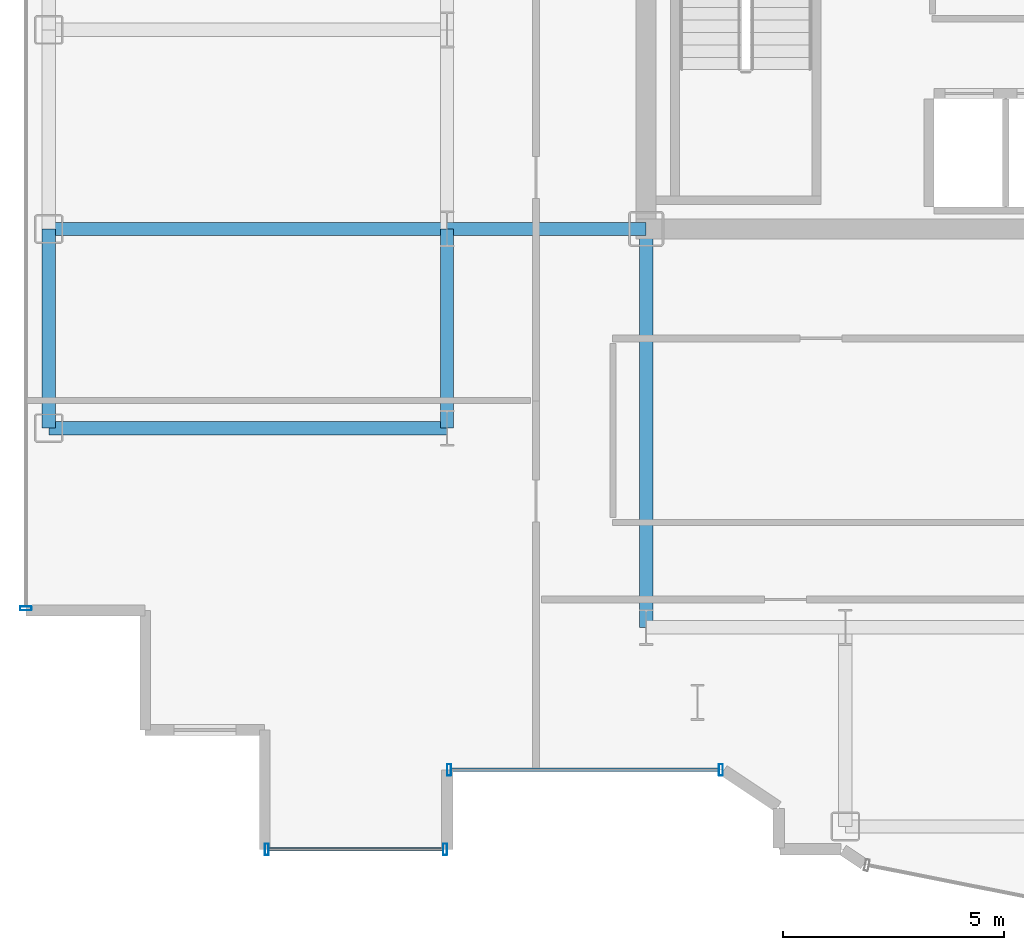
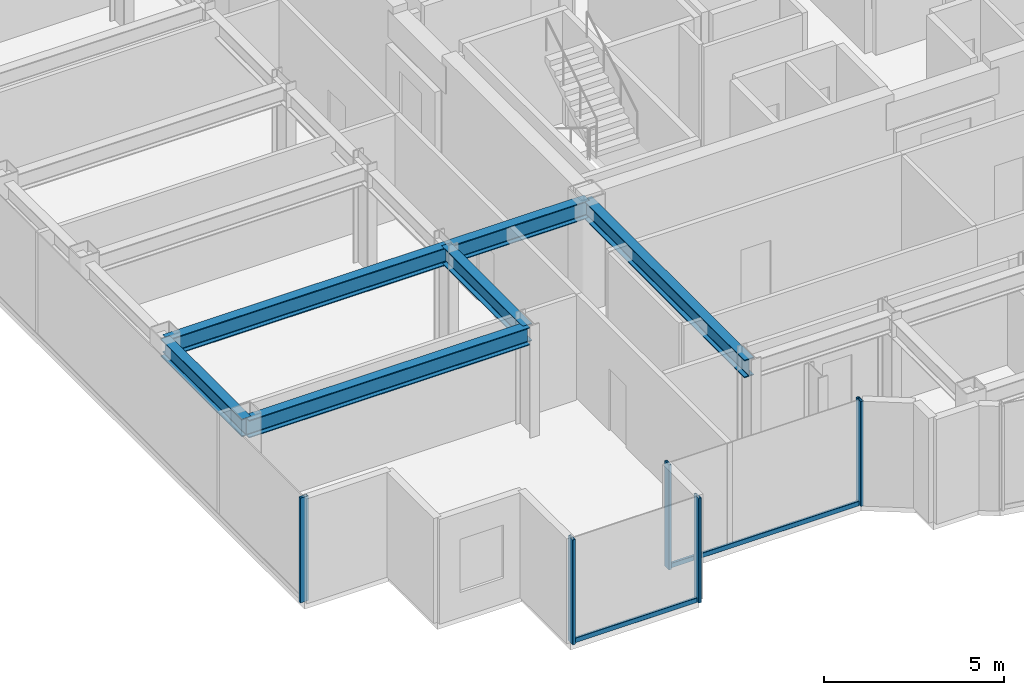
# One storey, part 2 of 20: 7 members, 6 beams, 3 elements without a shape of their own.
"""IFC4 building model written with IfcOpenShell, lengths in metres."""

import ifcopenshell
import ifcopenshell.guid

model = None  # the IFC model being written
_history = None  # IfcOwnerHistory: only IFC2X3 demands one
_inside = {}  # id of a spatial element -> (the spatial element, [elements in it])
_under = {}  # id of a project, library or spatial element -> (it, [spatial elements below it])
_declared = {}  # id of a project -> (the project, [libraries it declares])
_typed = {}  # id of a type object -> (the type object, [elements of that type])
_made_of = {}  # id of a material, layer set ... -> (it, [elements and type objects made of it])


def new_model(schema):
    """Start an empty IFC model of exactly this schema.

    Asked for "IFC4X3", IfcOpenShell would pick the latest addendum, in which some entities
    have other attributes; the version numbers below select the first issue.
    IFC2X3 requires an IfcOwnerHistory on every rooted entity: one is made here for all.
    """
    global model, _history
    if schema == "IFC4X3":
        model = ifcopenshell.file(schema_version=(4, 3, 0, 0))
    else:
        model = ifcopenshell.file(schema=schema)
    _inside.clear()
    _under.clear()
    _declared.clear()
    _typed.clear()
    _made_of.clear()
    _history = None
    if model.schema == "IFC2X3":
        org = make("IfcOrganization", Name="unknown")
        user = make(
            "IfcPersonAndOrganization",
            ThePerson=make("IfcPerson", FamilyName="unknown"),
            TheOrganization=org,
        )
        app = make(
            "IfcApplication",
            ApplicationDeveloper=org,
            Version="unknown",
            ApplicationFullName="unknown",
            ApplicationIdentifier="unknown",
        )
        _history = make(
            "IfcOwnerHistory",
            OwningUser=user,
            OwningApplication=app,
            ChangeAction="ADDED",
            CreationDate=0,
        )
    return model


def make(cls, **values):
    """One entity of the class cls with the attributes given. An attribute that is None is left unset."""
    return model.create_entity(
        cls, **{name: value for name, value in values.items() if value is not None}
    )


def rooted(cls, **values):
    """An entity with a GlobalId (a new one), such as an element, a storey or a relation."""
    return make(cls, GlobalId=ifcopenshell.guid.new(), OwnerHistory=_history, **values)


def si_unit(unit_type, name, prefix=None):
    """IfcSIUnit, for example si_unit("LENGTHUNIT", "METRE", prefix="MILLI")."""
    return make("IfcSIUnit", UnitType=unit_type, Prefix=prefix, Name=name)


def assignment(units):
    """IfcUnitAssignment: the units of a project."""
    return None if units is None else make("IfcUnitAssignment", Units=units)


def point(xyz):
    """IfcCartesianPoint."""
    return None if xyz is None else make("IfcCartesianPoint", Coordinates=xyz)


def direction(xyz):
    """IfcDirection."""
    return None if xyz is None else make("IfcDirection", DirectionRatios=xyz)


def frame(location, z_axis=None, x_axis=None):
    """IfcAxis2Placement3D, a coordinate frame: its origin and axes. An axis left out is left unset."""
    return make(
        "IfcAxis2Placement3D",
        Location=point(location),
        Axis=direction(z_axis),
        RefDirection=direction(x_axis),
    )


def frame_2d(location, x_axis=None):
    """IfcAxis2Placement2D, a coordinate frame in the plane: its origin and x axis."""
    return make(
        "IfcAxis2Placement2D", Location=point(location), RefDirection=direction(x_axis)
    )


def origin():
    """The frame at (0, 0, 0) with its axes left unset."""
    return frame((0.0, 0.0, 0.0))


def origin_2d():
    """The frame at (0, 0) in the plane with its x axis left unset."""
    return frame_2d((0.0, 0.0))


def place(relative_to, where):
    """IfcLocalPlacement: puts the frame where relative to a parent placement (None: the world)."""
    return make(
        "IfcLocalPlacement", PlacementRelTo=relative_to, RelativePlacement=where
    )


def context(
    kind, dimensions, precision=None, world=None, true_north=None, identifier=None
):
    """IfcGeometricRepresentationContext, for example the 3D "Model" context."""
    return make(
        "IfcGeometricRepresentationContext",
        ContextIdentifier=identifier,
        ContextType=kind,
        CoordinateSpaceDimension=dimensions,
        Precision=precision,
        WorldCoordinateSystem=world,
        TrueNorth=true_north,
    )


def subcontext(parent, identifier, kind, view, scale=None):
    """IfcGeometricRepresentationSubContext, for example "Body" below "Model"."""
    return make(
        "IfcGeometricRepresentationSubContext",
        ContextIdentifier=identifier,
        ContextType=kind,
        ParentContext=parent,
        TargetScale=scale,
        TargetView=view,
    )


def project(units=None, contexts=None):
    """IfcProject with its units and contexts."""
    return rooted(
        "IfcProject",
        Name="project",
        RepresentationContexts=contexts,
        UnitsInContext=assignment(units),
    )


def spatial(cls, under=None, at=None, **own):
    """A site, building, storey or space (cls), placed at a placement, below another one or the project."""
    s = rooted(cls, ObjectPlacement=at, **own)
    if under is not None:
        _under.setdefault(under.id(), (under, []))[1].append(s)
    return s


def profile(cls, at=None, kind="AREA", **sizes):
    """A parametric profile (cls). Its sizes go by their IFC names, for example OverallWidth=200.0."""
    return make(cls, ProfileType=kind, Position=at, **sizes)


def hollow_rectangle(**sizes):
    """IfcRectangleHollowProfileDef."""
    return profile("IfcRectangleHollowProfileDef", **sizes)


def i_section(**sizes):
    """IfcIShapeProfileDef."""
    return profile("IfcIShapeProfileDef", **sizes)


def extrude(swept, where, along, depth):
    """IfcExtrudedAreaSolid: the profile swept, set in the frame where, extruded along a direction by depth."""
    return make(
        "IfcExtrudedAreaSolid",
        SweptArea=swept,
        Position=where,
        ExtrudedDirection=direction(along),
        Depth=depth,
    )


def shape(context_of_items, identifier, shape_type, items):
    """IfcShapeRepresentation: the items that make up one representation, for example the "Body"."""
    return make(
        "IfcShapeRepresentation",
        ContextOfItems=context_of_items,
        RepresentationIdentifier=identifier,
        RepresentationType=shape_type,
        Items=items,
    )


def source(mapping_origin, context_of_items, identifier, shape_type, items):
    """IfcRepresentationMap: a shape defined once, which mapped items show again and again."""
    return make(
        "IfcRepresentationMap",
        MappingOrigin=mapping_origin,
        MappedRepresentation=shape(context_of_items, identifier, shape_type, items),
    )


def transform(
    local_origin,
    x_axis=None,
    y_axis=None,
    z_axis=None,
    scale=None,
    scale2=None,
    scale3=None,
    uniform=True,
):
    """IfcCartesianTransformationOperator3D, or its non-uniform kind. x_axis, y_axis, z_axis: its Axis1, 2, 3."""
    if uniform:
        return make(
            "IfcCartesianTransformationOperator3D",
            Axis1=direction(x_axis),
            Axis2=direction(y_axis),
            LocalOrigin=point(local_origin),
            Scale=scale,
            Axis3=direction(z_axis),
        )
    return make(
        "IfcCartesianTransformationOperator3DnonUniform",
        Axis1=direction(x_axis),
        Axis2=direction(y_axis),
        LocalOrigin=point(local_origin),
        Scale=scale,
        Axis3=direction(z_axis),
        Scale2=scale2,
        Scale3=scale3,
    )


def mapped(mapping_source, mapping_target):
    """IfcMappedItem: shows the shape of a source again, moved by a transform."""
    return make(
        "IfcMappedItem", MappingSource=mapping_source, MappingTarget=mapping_target
    )


def material(Name=None, Category=None):
    """IfcMaterial."""
    return make("IfcMaterial", Name=Name, Category=Category)


def layer(
    of_material, thickness, ventilated=None, Name=None, Category=None, Priority=None
):
    """IfcMaterialLayer: one layer of a wall or slab, of a material (None: an air gap)."""
    return make(
        "IfcMaterialLayer",
        Material=of_material,
        LayerThickness=thickness,
        IsVentilated=ventilated,
        Name=Name,
        Category=Category,
        Priority=Priority,
    )


def layer_set(layers, Name=None):
    """IfcMaterialLayerSet."""
    return make("IfcMaterialLayerSet", MaterialLayers=layers, LayerSetName=Name)


def material_profile(
    of_material, cross_section, Name=None, Category=None, Priority=None
):
    """IfcMaterialProfile: a cross section and its material."""
    return make(
        "IfcMaterialProfile",
        Name=Name,
        Material=of_material,
        Profile=cross_section,
        Priority=Priority,
        Category=Category,
    )


def profile_set(profiles, Name=None, composite=None):
    """IfcMaterialProfileSet."""
    return make(
        "IfcMaterialProfileSet",
        Name=Name,
        MaterialProfiles=profiles,
        CompositeProfile=composite,
    )


def made_of(thing, what):
    """Note that an element or type object is made of a material, layer set ...; save() writes the relation."""
    if what is not None:
        _made_of.setdefault(what.id(), (what, []))[1].append(thing)
    return thing


def type_object(cls, material=None, **own):
    """A type object (cls), such as IfcWallType, which elements share."""
    return made_of(rooted(cls, **own), material)


def element(
    cls,
    number,
    at=None,
    inside=None,
    cuts=None,
    type_object=None,
    material=None,
    context=None,
    identifier="Body",
    shape_type=None,
    held_by="IfcProductDefinitionShape",
    body=None,
    shapes=None,
    **own,
):
    """One element of the class cls, such as IfcWall. Its Tag is "e" and its number.

    at: its placement. inside: the storey or other place that contains it. cuts: it is an
    opening in that element (IfcRelVoidsElement). A single representation is given by context,
    identifier, shape_type and body (its items); several are given by shapes. held_by: the class
    of the entity that holds the representations. save() writes the other relations.
    """
    e = rooted(cls, Tag="e%d" % number, ObjectPlacement=at, **own)
    if body is not None:
        shapes = [shape(context, identifier, shape_type, body)]
    if shapes is not None:
        e.Representation = make(held_by, Representations=shapes)
    if inside is not None:
        _inside.setdefault(inside.id(), (inside, []))[1].append(e)
    if cuts is not None:
        rooted(
            "IfcRelVoidsElement", RelatingBuildingElement=cuts, RelatedOpeningElement=e
        )
    if type_object is not None:
        _typed.setdefault(type_object.id(), (type_object, []))[1].append(e)
    return made_of(e, material)


def aggregate(whole, parts):
    """IfcRelAggregates: a whole, such as a stair, and the parts it consists of."""
    return rooted("IfcRelAggregates", RelatingObject=whole, RelatedObjects=parts)


def save(model, path):
    """Write the relations noted so far, then the file.

    IfcRelAggregates (storeys below a building ...), IfcRelContainedInSpatialStructure (elements
    in a storey), IfcRelDefinesByType, IfcRelAssociatesMaterial and IfcRelDeclares: one each for
    every whole, place, type object, material and project.
    """
    for whole, parts in _under.values():
        aggregate(whole, parts)
    for where, things in _inside.values():
        rooted(
            "IfcRelContainedInSpatialStructure",
            RelatedElements=things,
            RelatingStructure=where,
        )
    for kind, things in _typed.values():
        rooted("IfcRelDefinesByType", RelatedObjects=things, RelatingType=kind)
    for what, things in _made_of.values():
        rooted("IfcRelAssociatesMaterial", RelatedObjects=things, RelatingMaterial=what)
    for by, libraries in _declared.values():
        rooted("IfcRelDeclares", RelatingContext=by, RelatedDefinitions=libraries)
    model.write(path)


model = new_model("IFC4")

# Units and contexts
model_context = context("Model", 3, precision=1e-05, world=origin(), true_north=direction((0.0, 1.0)))
body_context = subcontext(model_context, "Body", "Model", "MODEL_VIEW")
ifc_project = project(units=[si_unit("LENGTHUNIT", "METRE"), si_unit("AREAUNIT", "SQUARE_METRE"), si_unit("VOLUMEUNIT", "CUBIC_METRE"), si_unit("PLANEANGLEUNIT", "RADIAN"), si_unit("MASSUNIT", "GRAM", prefix="KILO")], contexts=[model_context])

# Site, building, storey
site_placement = place(None, origin())
site = spatial("IfcSite", under=ifc_project, at=site_placement, CompositionType="ELEMENT")
building_placement = place(site_placement, origin())
building = spatial("IfcBuilding", under=site, at=building_placement, Name="Nefas-Gora Pilgrimage Tower", CompositionType="ELEMENT")
storey_placement = place(building_placement, frame((0.0, 0.0, 221.800048828125)))
storey = spatial("IfcBuildingStorey", under=building, at=storey_placement, Name="L55", CompositionType="ELEMENT", Elevation=221.800048828125)

# Beams
ifc_material_1 = material(Name="Steel S355", Category="steel")
ifc_material_profile_1 = material_profile(ifc_material_1, i_section(OverallWidth=0.300048828125, OverallDepth=0.60009765625, WebThickness=0.015380859375, FlangeThickness=0.030029296875, FilletRadius=0.027099609375, at=origin_2d()), Name="HEB 600")
ifc_profile_set_1 = profile_set([ifc_material_profile_1], Name="Steel S355")
beam_type_1 = type_object("IfcBeamType", Name="BM-SPN-HEB450", PredefinedType="SPANDREL", material=ifc_profile_set_1)
shared_shape_1 = source(origin(), body_context, "Body", "SweptSolid", [
    extrude(i_section(OverallWidth=0.300048828125, OverallDepth=0.60009765625, WebThickness=0.015380859375, FlangeThickness=0.030029296875, FilletRadius=0.027099609375, at=origin_2d()), origin(), (0.0, 0.0, 1.0), 4.5),
])
beam_placement = place(storey_placement, frame((-24.75, -13.5, 3.25), z_axis=(0.0, 1.0, 0.0), x_axis=(-1.0, 0.0, 0.0)))
element("IfcBeam", 1, at=beam_placement, inside=storey, type_object=beam_type_1, Name="L55 SP-03 beam", PredefinedType="SPANDREL", context=body_context, shape_type="MappedRepresentation", body=[
    mapped(shared_shape_1, transform((0.0, 0.0, 0.0), x_axis=(1.0, 0.0, 0.0), y_axis=(0.0, 1.0, 0.0), z_axis=(0.0, 0.0, 1.0), scale=1.0)),
])
ifc_material_profile_2 = material_profile(ifc_material_1, i_section(OverallWidth=0.300048828125, OverallDepth=0.60009765625, WebThickness=0.015380859375, FlangeThickness=0.030029296875, FilletRadius=0.027099609375, at=origin_2d()), Name="HEB 600")
ifc_profile_set_2 = profile_set([ifc_material_profile_2], Name="Steel S355")
beam_type_2 = type_object("IfcBeamType", Name="BM-GIR-HEB600", PredefinedType="BEAM", material=ifc_profile_set_2)
shared_shape_2 = source(origin(), body_context, "Body", "SweptSolid", [
    extrude(i_section(OverallWidth=0.300048828125, OverallDepth=0.60009765625, WebThickness=0.015380859375, FlangeThickness=0.030029296875, FilletRadius=0.027099609375, at=origin_2d()), origin(), (0.0, 0.0, 1.0), 9.0),
])
for number, where, z_axis, x_axis, name in (
    (2, (-24.75, -13.5, 3.25), (1.0, 0.0, 0.0), (0.0, 1.0, 0.0), "L55 G-04 beam"),
    (3, (-24.75, -9.0, 3.25), (1.0, 0.0, 0.0), (0.0, 1.0, 0.0), "L55 G-04 beam"),
    (4, (-11.25, -18.0, 3.25), (0.0, 1.0, 0.0), (-1.0, 0.0, 0.0), "L55 G-04 beam"),
):
    element("IfcBeam", number, at=place(storey_placement, frame(where, z_axis=z_axis, x_axis=x_axis)), inside=storey, type_object=beam_type_2, Name=name, PredefinedType="BEAM", context=body_context, shape_type="MappedRepresentation", body=[
        mapped(shared_shape_2, transform((0.0, 0.0, 0.0), x_axis=(1.0, 0.0, 0.0), y_axis=(0.0, 1.0, 0.0), z_axis=(0.0, 0.0, 1.0), scale=1.0)),
    ])
shared_shape_3 = source(origin(), body_context, "Body", "SweptSolid", [
    extrude(i_section(OverallWidth=0.300048828125, OverallDepth=0.60009765625, WebThickness=0.015380859375, FlangeThickness=0.030029296875, FilletRadius=0.027099609375, at=origin_2d()), origin(), (0.0, 0.0, 1.0), 4.5),
])
for number, where, z_axis, x_axis, name in (
    (5, (-15.75, -13.5, 3.25), (0.0, 1.0, 0.0), (-1.0, 0.0, 0.0), "L55 G-04 beam"),
    (6, (-15.75, -9.0, 3.25), (1.0, 0.0, 0.0), (0.0, 1.0, 0.0), "L55 G-04 beam"),
):
    element("IfcBeam", number, at=place(storey_placement, frame(where, z_axis=z_axis, x_axis=x_axis)), inside=storey, type_object=beam_type_2, Name=name, PredefinedType="BEAM", context=body_context, shape_type="MappedRepresentation", body=[
        mapped(shared_shape_3, transform((0.0, 0.0, 0.0), x_axis=(1.0, 0.0, 0.0), y_axis=(0.0, 1.0, 0.0), z_axis=(0.0, 0.0, 1.0), scale=1.0)),
    ])

# Curtain wall, members
ifc_material_2 = material(Name="Dark ceramic-fritted solar-control aluminium-glass curtain wall", Category="aluminium")
ifc_layer_1 = layer(ifc_material_2, 0.219970703125)
ifc_layer_set_1 = layer_set([ifc_layer_1], Name="Dark ceramic-fritted solar-control aluminium-glass curtain wall")
curtain_wall_type_1 = type_object("IfcCurtainWallType", Name="CW-SYS-5", PredefinedType="NOTDEFINED", material=ifc_layer_set_1)
curtain_wall_1_placement = place(storey_placement, origin())
curtain_wall_1 = element("IfcCurtainWall", 7, at=curtain_wall_1_placement, inside=storey, type_object=curtain_wall_type_1, Name="L55 Unitised Curtain Wall CW5", PredefinedType="NOTDEFINED")
ifc_material_3 = material(Name="Anodised architectural aluminium", Category="aluminium")
ifc_material_profile_3 = material_profile(ifc_material_3, hollow_rectangle(XDim=0.090087890625, YDim=0.260009765625, WallThickness=0.006103515625, InnerFilletRadius=0.006103515625, OuterFilletRadius=0.011962890625, at=origin_2d()), Name="ALU MULLION 90x260")
ifc_profile_set_3 = profile_set([ifc_material_profile_3], Name="Anodised architectural aluminium")
member_type_1 = type_object("IfcMemberType", Name="CWM-MUL-5", PredefinedType="MULLION", material=ifc_profile_set_3)
shared_shape_4 = source(origin(), body_context, "Body", "SweptSolid", [
    extrude(hollow_rectangle(XDim=0.090087890625, YDim=0.260009765625, WallThickness=0.006103515625, InnerFilletRadius=0.006103515625, OuterFilletRadius=0.011962890625, at=origin_2d()), origin(), (0.0, 0.0, 1.0), 3.550048828125),
])
member_1_placement = place(storey_placement, frame((-15.705078125, -21.219970703125, 0.0), z_axis=(0.0, 0.0, 1.0), x_axis=(1.0, 0.0, 0.0)))
member_1 = element("IfcMember", 8, at=member_1_placement, type_object=member_type_1, Name="CW5 Mullion 1", PredefinedType="MULLION", context=body_context, shape_type="MappedRepresentation", body=[
    mapped(shared_shape_4, transform((0.0, 0.0, 0.0), x_axis=(1.0, 0.0, 0.0), y_axis=(0.0, 1.0, 0.0), z_axis=(0.0, 0.0, 1.0), scale=1.0)),
])
member_2_placement = place(storey_placement, frame((-9.56298828125, -21.219970703125, 0.0), z_axis=(0.0, 0.0, 1.0), x_axis=(1.0, 0.0, 0.0)))
member_2 = element("IfcMember", 9, at=member_2_placement, type_object=member_type_1, Name="CW5 Mullion 2", PredefinedType="MULLION", context=body_context, shape_type="MappedRepresentation", body=[
    mapped(shared_shape_4, transform((0.0, 0.0, 0.0), x_axis=(1.0, 0.0, 0.0), y_axis=(0.0, 1.0, 0.0), z_axis=(0.0, 0.0, 1.0), scale=1.0)),
])
ifc_material_profile_4 = material_profile(ifc_material_3, hollow_rectangle(XDim=0.080078125, YDim=0.159912109375, WallThickness=0.00439453125, InnerFilletRadius=0.00439453125, OuterFilletRadius=0.009033203125, at=origin_2d()), Name="ALU TRANSOM 80x160")
ifc_profile_set_4 = profile_set([ifc_material_profile_4], Name="Anodised architectural aluminium")
member_type_2 = type_object("IfcMemberType", Name="CWM-TRN-5", PredefinedType="USERDEFINED", material=ifc_profile_set_4)
shared_shape_5 = source(origin(), body_context, "Body", "SweptSolid", [
    extrude(hollow_rectangle(XDim=0.080078125, YDim=0.159912109375, WallThickness=0.00439453125, InnerFilletRadius=0.00439453125, OuterFilletRadius=0.009033203125, at=origin_2d()), origin(), (0.0, 0.0, 1.0), 6.052001953125),
])
member_3_placement = place(storey_placement, frame((-15.659912109375, -21.219970703125, 0.050048828125), z_axis=(1.0, 0.0, 0.0), x_axis=(0.0, 1.0, 0.0)))
member_3 = element("IfcMember", 10, at=member_3_placement, type_object=member_type_2, Name="CW5 Spandrel Transom", ObjectType="TRANSOM", PredefinedType="USERDEFINED", context=body_context, shape_type="MappedRepresentation", body=[
    mapped(shared_shape_5, transform((0.0, 0.0, 0.0), x_axis=(1.0, 0.0, 0.0), y_axis=(0.0, 1.0, 0.0), z_axis=(0.0, 0.0, 1.0), scale=1.0)),
])
aggregate(curtain_wall_1, [member_1, member_2, member_3])

# Curtain wall, member
ifc_layer_2 = layer(ifc_material_2, 0.219970703125)
ifc_layer_set_2 = layer_set([ifc_layer_2], Name="Dark ceramic-fritted solar-control aluminium-glass curtain wall")
curtain_wall_type_2 = type_object("IfcCurtainWallType", Name="CW-SYS-3", PredefinedType="NOTDEFINED", material=ifc_layer_set_2)
curtain_wall_2_placement = place(storey_placement, origin())
curtain_wall_2 = element("IfcCurtainWall", 11, at=curtain_wall_2_placement, inside=storey, type_object=curtain_wall_type_2, Name="L55 Unitised Curtain Wall CW3", PredefinedType="NOTDEFINED")
ifc_material_profile_5 = material_profile(ifc_material_3, hollow_rectangle(XDim=0.090087890625, YDim=0.260009765625, WallThickness=0.006103515625, InnerFilletRadius=0.006103515625, OuterFilletRadius=0.011962890625, at=origin_2d()), Name="ALU MULLION 90x260")
ifc_profile_set_5 = profile_set([ifc_material_profile_5], Name="Anodised architectural aluminium")
member_type_3 = type_object("IfcMemberType", Name="CWM-MUL-3", PredefinedType="MULLION", material=ifc_profile_set_5)
shared_shape_6 = source(origin(), body_context, "Body", "SweptSolid", [
    extrude(hollow_rectangle(XDim=0.090087890625, YDim=0.260009765625, WallThickness=0.006103515625, InnerFilletRadius=0.006103515625, OuterFilletRadius=0.011962890625, at=origin_2d()), origin(), (0.0, 0.0, 1.0), 3.550048828125),
])
member_4_placement = place(storey_placement, frame((-25.27001953125, -17.574951171875, 0.0), z_axis=(0.0, 0.0, 1.0), x_axis=(0.0, -1.0, 0.0)))
member_4 = element("IfcMember", 12, at=member_4_placement, type_object=member_type_3, Name="CW3 Mullion 2", PredefinedType="MULLION", context=body_context, shape_type="MappedRepresentation", body=[
    mapped(shared_shape_6, transform((0.0, 0.0, 0.0), x_axis=(1.0, 0.0, 0.0), y_axis=(0.0, 1.0, 0.0), z_axis=(0.0, 0.0, 1.0), scale=1.0)),
])
aggregate(curtain_wall_2, [member_4])

# Curtain wall, members
curtain_wall_3_placement = place(storey_placement, origin())
curtain_wall_3 = element("IfcCurtainWall", 13, at=curtain_wall_3_placement, inside=storey, type_object=curtain_wall_type_2, Name="L55 Unitised Curtain Wall CW3", PredefinedType="NOTDEFINED")
member_5_placement = place(storey_placement, frame((-19.824951171875, -23.02001953125, 0.0), z_axis=(0.0, 0.0, 1.0), x_axis=(1.0, 0.0, 0.0)))
member_5 = element("IfcMember", 14, at=member_5_placement, type_object=member_type_3, Name="CW3 Mullion 1", PredefinedType="MULLION", context=body_context, shape_type="MappedRepresentation", body=[
    mapped(shared_shape_6, transform((0.0, 0.0, 0.0), x_axis=(1.0, 0.0, 0.0), y_axis=(0.0, 1.0, 0.0), z_axis=(0.0, 0.0, 1.0), scale=1.0)),
])
member_6_placement = place(storey_placement, frame((-15.794921875, -23.02001953125, 0.0), z_axis=(0.0, 0.0, 1.0), x_axis=(1.0, 0.0, 0.0)))
member_6 = element("IfcMember", 15, at=member_6_placement, type_object=member_type_3, Name="CW3 Mullion 2", PredefinedType="MULLION", context=body_context, shape_type="MappedRepresentation", body=[
    mapped(shared_shape_6, transform((0.0, 0.0, 0.0), x_axis=(1.0, 0.0, 0.0), y_axis=(0.0, 1.0, 0.0), z_axis=(0.0, 0.0, 1.0), scale=1.0)),
])
ifc_material_profile_6 = material_profile(ifc_material_3, hollow_rectangle(XDim=0.080078125, YDim=0.159912109375, WallThickness=0.00439453125, InnerFilletRadius=0.00439453125, OuterFilletRadius=0.009033203125, at=origin_2d()), Name="ALU TRANSOM 80x160")
ifc_profile_set_6 = profile_set([ifc_material_profile_6], Name="Anodised architectural aluminium")
member_type_4 = type_object("IfcMemberType", Name="CWM-TRN-3", PredefinedType="USERDEFINED", material=ifc_profile_set_6)
shared_shape_7 = source(origin(), body_context, "Body", "SweptSolid", [
    extrude(hollow_rectangle(XDim=0.080078125, YDim=0.159912109375, WallThickness=0.00439453125, InnerFilletRadius=0.00439453125, OuterFilletRadius=0.009033203125, at=origin_2d()), origin(), (0.0, 0.0, 1.0), 3.93994140625),
])
member_7_placement = place(storey_placement, frame((-19.780029296875, -23.02001953125, 0.050048828125), z_axis=(1.0, 0.0, 0.0), x_axis=(0.0, 1.0, 0.0)))
member_7 = element("IfcMember", 16, at=member_7_placement, type_object=member_type_4, Name="CW3 Spandrel Transom", ObjectType="TRANSOM", PredefinedType="USERDEFINED", context=body_context, shape_type="MappedRepresentation", body=[
    mapped(shared_shape_7, transform((0.0, 0.0, 0.0), x_axis=(1.0, 0.0, 0.0), y_axis=(0.0, 1.0, 0.0), z_axis=(0.0, 0.0, 1.0), scale=1.0)),
])
aggregate(curtain_wall_3, [member_5, member_6, member_7])

save(model, "model.ifc")
